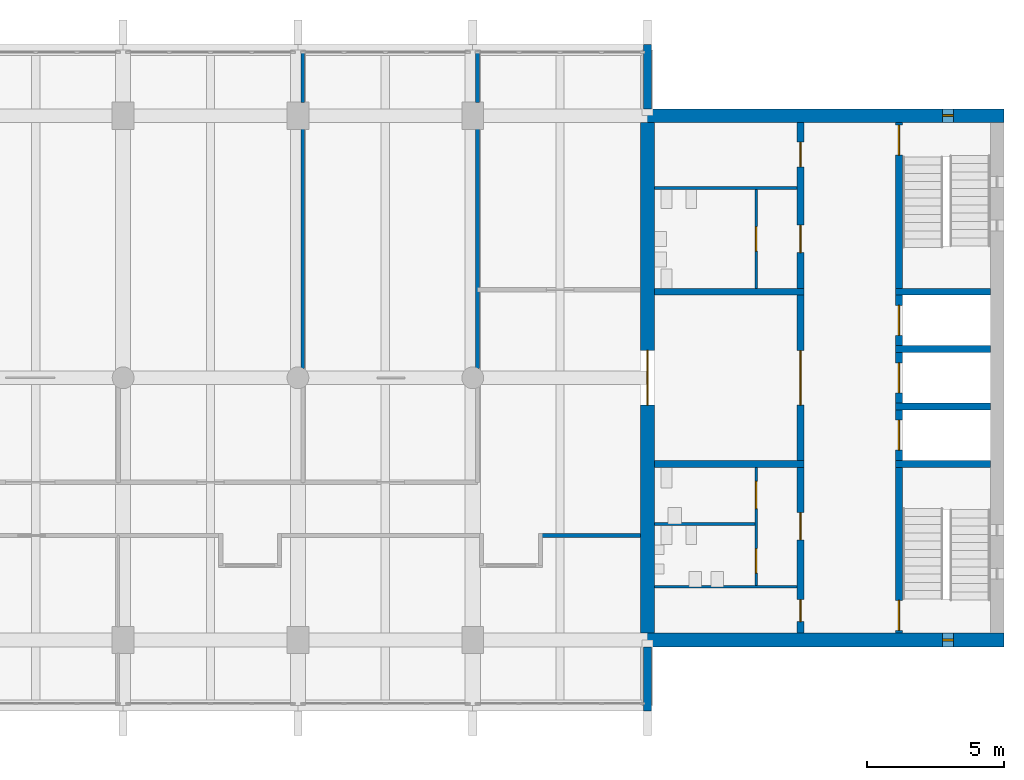
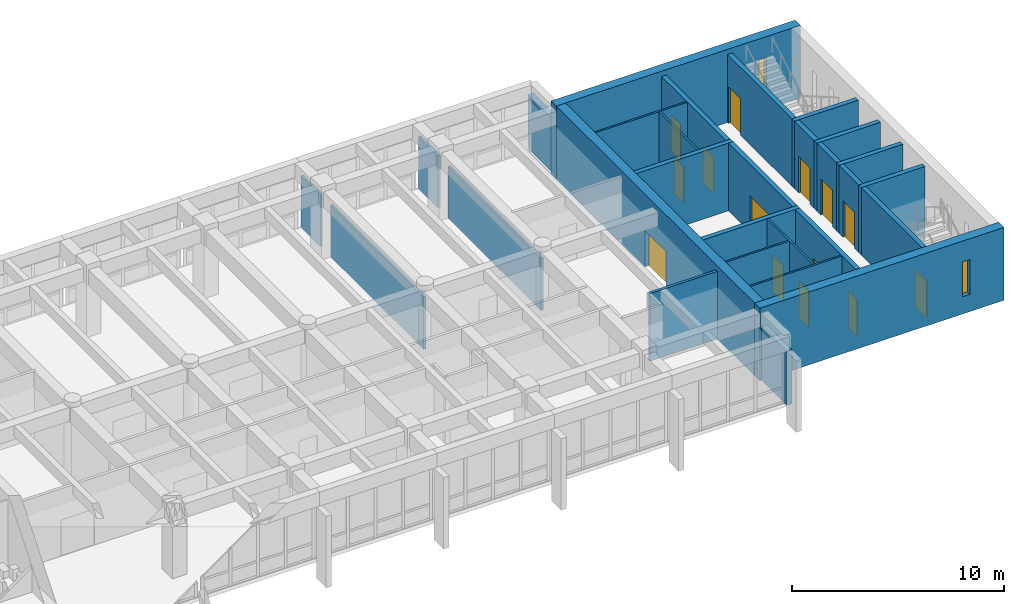
# One storey, part 11 of 15: 29 walls, 14 doors, 2 windows, 16 openings.
"""IFC4 building model written with IfcOpenShell, lengths in metres."""

from ifc_helpers import new_model, si_unit, direction, frame, frame_2d, origin, place, context, subcontext, project, spatial, rectangle, extrude, material, layer, layer_set, type_object, element, fill, save


model = new_model("IFC4")

# Units and contexts
model_context = context("Model", 3, precision=1e-05, world=origin(), true_north=direction((0.0, 1.0)))
body_context = subcontext(model_context, "Body", "Model", "MODEL_VIEW")
ifc_project = project(units=[si_unit("LENGTHUNIT", "METRE"), si_unit("AREAUNIT", "SQUARE_METRE"), si_unit("VOLUMEUNIT", "CUBIC_METRE"), si_unit("PLANEANGLEUNIT", "RADIAN"), si_unit("MASSUNIT", "GRAM", prefix="KILO")], contexts=[model_context])

# Site, building, storey
site_placement = place(None, origin())
site = spatial("IfcSite", under=ifc_project, at=site_placement, CompositionType="ELEMENT")
building_placement = place(site_placement, origin())
building = spatial("IfcBuilding", under=site, at=building_placement, Name="Fogon Plaza Fire Station and Headquarters Tower", CompositionType="ELEMENT")
storey_placement = place(building_placement, frame((0.0, 0.0, 60.0)))
storey = spatial("IfcBuildingStorey", under=building, at=storey_placement, Name="L15", CompositionType="ELEMENT", Elevation=60.0)

# Walls
ifc_material_1 = material(Name="Concrete C40", Category="concrete")
ifc_layer_1 = layer(ifc_material_1, 0.25)
ifc_layer_set_1 = layer_set([ifc_layer_1], Name="Concrete C40")
wall_type_1 = type_object("IfcWallType", Name="Core Wall RC 250", PredefinedType="SOLIDWALL", material=ifc_layer_set_1)
for number, where, z_axis, x_axis, name in (
    (1, (76.550048828125, 40.050048828125, 0.0), (0.0, 0.0, 1.0), (-1.0, 0.0, 0.0), "Core B shaft wall"),
    (2, (76.550048828125, 42.14990234375, 0.0), (0.0, 0.0, 1.0), (-1.0, 0.0, 0.0), "Core B shaft wall"),
    (3, (76.550048828125, 44.25, 0.0), (0.0, 0.0, 1.0), (-1.0, 0.0, 0.0), "Core B shaft wall"),
    (4, (76.550048828125, 46.35009765625, 0.0), (0.0, 0.0, 1.0), (-1.0, 0.0, 0.0), "Core B shaft wall"),
):
    element("IfcWall", number, at=place(storey_placement, frame(where, z_axis=z_axis, x_axis=x_axis)), inside=storey, type_object=wall_type_1, Name=name, PredefinedType="SOLIDWALL", context=body_context, shape_type="SweptSolid", body=[
        extrude(rectangle(XDim=3.47509765625, YDim=0.25, at=frame_2d((1.737548828125, 0.0))), origin(), (0.0, 0.0, 1.0), 3.89990234375),
    ])

# Wall, opening, door
wall_1_placement = place(storey_placement, frame((73.199951171875, 33.85009765625, 0.0), z_axis=(0.0, 0.0, 1.0), x_axis=(0.0, 1.0, 0.0)))
wall_1 = element("IfcWall", 5, at=wall_1_placement, inside=storey, type_object=wall_type_1, Name="Core B shaft wall", PredefinedType="SOLIDWALL", context=body_context, shape_type="SweptSolid", body=[
    extrude(rectangle(XDim=6.074951171875, YDim=0.25, at=frame_2d((3.03759765625, 0.0))), origin(), (0.0, 0.0, 1.0), 3.89990234375),
])
opening_1_placement = place(wall_1_placement, frame((0.10009765625, 0.0, 0.0)))
opening_1 = element("IfcOpeningElement", 6, at=opening_1_placement, cuts=wall_1, Name="Opening L15-D15", PredefinedType="OPENING", context=body_context, shape_type="SweptSolid", body=[
    extrude(rectangle(XDim=1.10009765625, YDim=2.10009765625, at=frame_2d((0.550048828125, 1.050048828125))), frame((0.0, 0.135009765625, 0.0), z_axis=(0.0, -1.0, 0.0), x_axis=(1.0, 0.0, 0.0)), (0.0, 0.0, 1.0), 0.27001953125),
])
ifc_material_2 = material(Name="Steel Fire Door Leaf", Category="steel")
door_type_1 = type_object("IfcDoorType", Name="Stair Door Single 1100x2100", OperationType="SINGLE_SWING_LEFT", PredefinedType="DOOR", material=ifc_material_2)
door_1_placement = place(opening_1_placement, frame((1.10009765625, 0.0, 0.0), z_axis=(0.0, 0.0, 1.0), x_axis=(-1.0, 0.0, 0.0)))
door_1 = element("IfcDoor", 7, at=door_1_placement, inside=storey, type_object=door_type_1, Name="Stair door ST3", OperationType="SINGLE_SWING_RIGHT", OverallHeight=2.10009765625, OverallWidth=1.10009765625, PredefinedType="DOOR", context=body_context, shape_type="SweptSolid", body=[
    extrude(rectangle(XDim=1.10009765625, YDim=2.10009765625, at=frame_2d((0.550048828125, 1.050048828125))), frame((0.0, 0.02490234375, 0.0), z_axis=(0.0, -1.0, 0.0), x_axis=(1.0, 0.0, 0.0)), (0.0, 0.0, 1.0), 0.050048828125),
])
fill(opening_1, door_1)

wall_2_placement = place(storey_placement, frame((73.199951171875, 40.175048828125, 0.0), z_axis=(0.0, 0.0, 1.0), x_axis=(0.0, 1.0, 0.0)))
wall_2 = element("IfcWall", 8, at=wall_2_placement, inside=storey, type_object=wall_type_1, Name="Core B shaft wall", PredefinedType="SOLIDWALL", context=body_context, shape_type="SweptSolid", body=[
    extrude(rectangle(XDim=1.849853515625, YDim=0.25, at=frame_2d((0.9248046875, 0.0))), origin(), (0.0, 0.0, 1.0), 3.89990234375),
])
opening_2_placement = place(wall_2_placement, frame((0.375, 0.0, 0.0)))
opening_2 = element("IfcOpeningElement", 9, at=opening_2_placement, cuts=wall_2, Name="Opening L15-D17", PredefinedType="OPENING", context=body_context, shape_type="SweptSolid", body=[
    extrude(rectangle(XDim=1.10009765625, YDim=2.10009765625, at=frame_2d((0.550048828125, 1.050048828125))), frame((0.0, 0.135009765625, 0.0), z_axis=(0.0, -1.0, 0.0), x_axis=(1.0, 0.0, 0.0)), (0.0, 0.0, 1.0), 0.27001953125),
])
ifc_material_3 = material(Name="Stainless Steel", Category="steel")
door_type_2 = type_object("IfcDoorType", Name="Lift Landing Door 1100x2100", OperationType="SLIDING_TO_LEFT", PredefinedType="DOOR", material=ifc_material_3)
door_2_placement = place(opening_2_placement, origin())
door_2 = element("IfcDoor", 10, at=door_2_placement, inside=storey, type_object=door_type_2, Name="Lift LP3 landing door", OperationType="SLIDING_TO_LEFT", OverallHeight=2.10009765625, OverallWidth=1.10009765625, PredefinedType="DOOR", context=body_context, shape_type="SweptSolid", body=[
    extrude(rectangle(XDim=1.10009765625, YDim=2.10009765625, at=frame_2d((0.550048828125, 1.050048828125))), frame((0.0, 0.02490234375, 0.0), z_axis=(0.0, -1.0, 0.0), x_axis=(1.0, 0.0, 0.0)), (0.0, 0.0, 1.0), 0.050048828125),
])
fill(opening_2, door_2)

wall_3_placement = place(storey_placement, frame((73.199951171875, 42.27490234375, 0.0), z_axis=(0.0, 0.0, 1.0), x_axis=(0.0, 1.0, 0.0)))
wall_3 = element("IfcWall", 11, at=wall_3_placement, inside=storey, type_object=wall_type_1, Name="Core B shaft wall", PredefinedType="SOLIDWALL", context=body_context, shape_type="SweptSolid", body=[
    extrude(rectangle(XDim=1.85009765625, YDim=0.25, at=frame_2d((0.925048828125, 0.0))), origin(), (0.0, 0.0, 1.0), 3.89990234375),
])
opening_3_placement = place(wall_3_placement, frame((0.375, 0.0, 0.0)))
opening_3 = element("IfcOpeningElement", 12, at=opening_3_placement, cuts=wall_3, Name="Opening L15-D18", PredefinedType="OPENING", context=body_context, shape_type="SweptSolid", body=[
    extrude(rectangle(XDim=1.10009765625, YDim=2.10009765625, at=frame_2d((0.550048828125, 1.050048828125))), frame((0.0, 0.135009765625, 0.0), z_axis=(0.0, -1.0, 0.0), x_axis=(1.0, 0.0, 0.0)), (0.0, 0.0, 1.0), 0.27001953125),
])
door_3_placement = place(opening_3_placement, origin())
door_3 = element("IfcDoor", 13, at=door_3_placement, inside=storey, type_object=door_type_2, Name="Lift LP4 landing door", OperationType="SLIDING_TO_LEFT", OverallHeight=2.10009765625, OverallWidth=1.10009765625, PredefinedType="DOOR", context=body_context, shape_type="SweptSolid", body=[
    extrude(rectangle(XDim=1.10009765625, YDim=2.10009765625, at=frame_2d((0.550048828125, 1.050048828125))), frame((0.0, 0.02490234375, 0.0), z_axis=(0.0, -1.0, 0.0), x_axis=(1.0, 0.0, 0.0)), (0.0, 0.0, 1.0), 0.050048828125),
])
fill(opening_3, door_3)

wall_4_placement = place(storey_placement, frame((73.199951171875, 44.375, 0.0), z_axis=(0.0, 0.0, 1.0), x_axis=(0.0, 1.0, 0.0)))
wall_4 = element("IfcWall", 14, at=wall_4_placement, inside=storey, type_object=wall_type_1, Name="Core B shaft wall", PredefinedType="SOLIDWALL", context=body_context, shape_type="SweptSolid", body=[
    extrude(rectangle(XDim=1.85009765625, YDim=0.25, at=frame_2d((0.925048828125, 0.0))), origin(), (0.0, 0.0, 1.0), 3.89990234375),
])
opening_4_placement = place(wall_4_placement, frame((0.375, 0.0, 0.0)))
opening_4 = element("IfcOpeningElement", 15, at=opening_4_placement, cuts=wall_4, Name="Opening L15-D19", PredefinedType="OPENING", context=body_context, shape_type="SweptSolid", body=[
    extrude(rectangle(XDim=1.10009765625, YDim=2.10009765625, at=frame_2d((0.550048828125, 1.050048828125))), frame((0.0, 0.135009765625, 0.0), z_axis=(0.0, -1.0, 0.0), x_axis=(1.0, 0.0, 0.0)), (0.0, 0.0, 1.0), 0.27001953125),
])
door_4_placement = place(opening_4_placement, origin())
door_4 = element("IfcDoor", 16, at=door_4_placement, inside=storey, type_object=door_type_2, Name="Lift FL2 landing door", OperationType="SLIDING_TO_LEFT", OverallHeight=2.10009765625, OverallWidth=1.10009765625, PredefinedType="DOOR", context=body_context, shape_type="SweptSolid", body=[
    extrude(rectangle(XDim=1.10009765625, YDim=2.10009765625, at=frame_2d((0.550048828125, 1.050048828125))), frame((0.0, 0.02490234375, 0.0), z_axis=(0.0, -1.0, 0.0), x_axis=(1.0, 0.0, 0.0)), (0.0, 0.0, 1.0), 0.050048828125),
])
fill(opening_4, door_4)

wall_5_placement = place(storey_placement, frame((73.199951171875, 46.47509765625, 0.0), z_axis=(0.0, 0.0, 1.0), x_axis=(0.0, 1.0, 0.0)))
wall_5 = element("IfcWall", 17, at=wall_5_placement, inside=storey, type_object=wall_type_1, Name="Core B shaft wall", PredefinedType="SOLIDWALL", context=body_context, shape_type="SweptSolid", body=[
    extrude(rectangle(XDim=6.074951171875, YDim=0.25, at=frame_2d((3.03759765625, 0.0))), origin(), (0.0, 0.0, 1.0), 3.89990234375),
])
opening_5_placement = place(wall_5_placement, frame((4.875, 0.0, 0.0)))
opening_5 = element("IfcOpeningElement", 18, at=opening_5_placement, cuts=wall_5, Name="Opening L15-D16", PredefinedType="OPENING", context=body_context, shape_type="SweptSolid", body=[
    extrude(rectangle(XDim=1.10009765625, YDim=2.10009765625, at=frame_2d((0.550048828125, 1.050048828125))), frame((0.0, 0.135009765625, 0.0), z_axis=(0.0, -1.0, 0.0), x_axis=(1.0, 0.0, 0.0)), (0.0, 0.0, 1.0), 0.27001953125),
])
door_5_placement = place(opening_5_placement, frame((1.10009765625, 0.0, 0.0), z_axis=(0.0, 0.0, 1.0), x_axis=(-1.0, 0.0, 0.0)))
door_5 = element("IfcDoor", 19, at=door_5_placement, inside=storey, type_object=door_type_1, Name="Stair door ST4", OperationType="SINGLE_SWING_LEFT", OverallHeight=2.10009765625, OverallWidth=1.10009765625, PredefinedType="DOOR", context=body_context, shape_type="SweptSolid", body=[
    extrude(rectangle(XDim=1.10009765625, YDim=2.10009765625, at=frame_2d((0.550048828125, 1.050048828125))), frame((0.0, 0.02490234375, 0.0), z_axis=(0.0, -1.0, 0.0), x_axis=(1.0, 0.0, 0.0)), (0.0, 0.0, 1.0), 0.050048828125),
])
fill(opening_5, door_5)

# Wall, openings, doors
wall_6_placement = place(storey_placement, frame((69.60009765625, 33.85009765625, 0.0), z_axis=(0.0, 0.0, 1.0), x_axis=(0.0, 1.0, 0.0)))
wall_6 = element("IfcWall", 20, at=wall_6_placement, inside=storey, type_object=wall_type_1, Name="Core B shaft wall", PredefinedType="SOLIDWALL", context=body_context, shape_type="SweptSolid", body=[
    extrude(rectangle(XDim=6.074951171875, YDim=0.25, at=frame_2d((3.03759765625, 0.0))), origin(), (0.0, 0.0, 1.0), 3.89990234375),
])
opening_6_placement = place(wall_6_placement, frame((0.425048828125, 0.0, 0.0)))
opening_6 = element("IfcOpeningElement", 21, at=opening_6_placement, cuts=wall_6, Name="Opening L15-D22", PredefinedType="OPENING", context=body_context, shape_type="SweptSolid", body=[
    extrude(rectangle(XDim=0.800048828125, YDim=2.10009765625, at=frame_2d((0.39990234375, 1.050048828125))), frame((0.0, 0.135009765625, 0.0), z_axis=(0.0, -1.0, 0.0), x_axis=(1.0, 0.0, 0.0)), (0.0, 0.0, 1.0), 0.27001953125),
])
opening_7_placement = place(wall_6_placement, frame((3.41259765625, 0.0, 0.0)))
opening_7 = element("IfcOpeningElement", 22, at=opening_7_placement, cuts=wall_6, Name="Opening L15-D23", PredefinedType="OPENING", context=body_context, shape_type="SweptSolid", body=[
    extrude(rectangle(XDim=1.0, YDim=2.10009765625, at=frame_2d((0.5, 1.050048828125))), frame((0.0, 0.135009765625, 0.0), z_axis=(0.0, -1.0, 0.0), x_axis=(1.0, 0.0, 0.0)), (0.0, 0.0, 1.0), 0.27001953125),
])
ifc_material_4 = material(Name="Timber Door Leaf", Category="wood")
door_type_3 = type_object("IfcDoorType", Name="Cleaner Store Single 800x2100", OperationType="SINGLE_SWING_LEFT", PredefinedType="DOOR", material=ifc_material_4)
door_6_placement = place(opening_6_placement, origin())
door_6 = element("IfcDoor", 23, at=door_6_placement, inside=storey, type_object=door_type_3, Name="Cleaner's store B door", OperationType="SINGLE_SWING_RIGHT", OverallHeight=2.10009765625, OverallWidth=0.800048828125, PredefinedType="DOOR", context=body_context, shape_type="SweptSolid", body=[
    extrude(rectangle(XDim=0.800048828125, YDim=2.10009765625, at=frame_2d((0.39990234375, 1.050048828125))), frame((0.0, 0.02490234375, 0.0), z_axis=(0.0, -1.0, 0.0), x_axis=(1.0, 0.0, 0.0)), (0.0, 0.0, 1.0), 0.050048828125),
])
fill(opening_6, door_6)
ifc_material_5 = material(Name="Timber fire door", Category="wood")
door_type_4 = type_object("IfcDoorType", Name="WC Lobby Single 1000x2100", OperationType="SINGLE_SWING_LEFT", PredefinedType="DOOR", material=ifc_material_5)
door_7_placement = place(opening_7_placement, origin())
door_7 = element("IfcDoor", 24, at=door_7_placement, inside=storey, type_object=door_type_4, Name="Men's WC lobby B door", OperationType="SINGLE_SWING_LEFT", OverallHeight=2.10009765625, OverallWidth=1.0, PredefinedType="DOOR", context=body_context, shape_type="SweptSolid", body=[
    extrude(rectangle(XDim=1.0, YDim=2.10009765625, at=frame_2d((0.5, 1.050048828125))), frame((0.0, 0.02490234375, 0.0), z_axis=(0.0, -1.0, 0.0), x_axis=(1.0, 0.0, 0.0)), (0.0, 0.0, 1.0), 0.050048828125),
])
fill(opening_7, door_7)

# Wall, opening, door
wall_7_placement = place(storey_placement, frame((69.60009765625, 40.175048828125, 0.0), z_axis=(0.0, 0.0, 1.0), x_axis=(0.0, 1.0, 0.0)))
wall_7 = element("IfcWall", 25, at=wall_7_placement, inside=storey, type_object=wall_type_1, Name="Core B shaft wall", PredefinedType="SOLIDWALL", context=body_context, shape_type="SweptSolid", body=[
    extrude(rectangle(XDim=6.050048828125, YDim=0.25, at=frame_2d((3.02490234375, 0.0))), origin(), (0.0, 0.0, 1.0), 3.89990234375),
])
opening_8_placement = place(wall_7_placement, frame((2.02490234375, 0.0, 0.0)))
opening_8 = element("IfcOpeningElement", 26, at=opening_8_placement, cuts=wall_7, Name="Opening L15-D20", PredefinedType="OPENING", context=body_context, shape_type="SweptSolid", body=[
    extrude(rectangle(XDim=2.0, YDim=2.10009765625, at=frame_2d((1.0, 1.050048828125))), frame((0.0, 0.135009765625, 0.0), z_axis=(0.0, -1.0, 0.0), x_axis=(1.0, 0.0, 0.0)), (0.0, 0.0, 1.0), 0.27001953125),
])
ifc_material_6 = material(Name="Steel Fire Door Leaf", Category="steel")
door_type_5 = type_object("IfcDoorType", Name="Vestibule Double 2000x2100", OperationType="DOUBLE_DOOR_SINGLE_SWING", PredefinedType="DOOR", material=ifc_material_6)
door_8_placement = place(opening_8_placement, origin())
door_8 = element("IfcDoor", 27, at=door_8_placement, inside=storey, type_object=door_type_5, Name="Vestibule B door", OperationType="DOUBLE_DOOR_SINGLE_SWING", OverallHeight=2.10009765625, OverallWidth=2.0, PredefinedType="DOOR", context=body_context, shape_type="SweptSolid", body=[
    extrude(rectangle(XDim=2.0, YDim=2.10009765625, at=frame_2d((1.0, 1.050048828125))), frame((0.0, 0.02490234375, 0.0), z_axis=(0.0, -1.0, 0.0), x_axis=(1.0, 0.0, 0.0)), (0.0, 0.0, 1.0), 0.050048828125),
])
fill(opening_8, door_8)

# Wall, openings, doors
wall_8_placement = place(storey_placement, frame((69.60009765625, 46.47509765625, 0.0), z_axis=(0.0, 0.0, 1.0), x_axis=(0.0, 1.0, 0.0)))
wall_8 = element("IfcWall", 28, at=wall_8_placement, inside=storey, type_object=wall_type_1, Name="Core B shaft wall", PredefinedType="SOLIDWALL", context=body_context, shape_type="SweptSolid", body=[
    extrude(rectangle(XDim=6.074951171875, YDim=0.25, at=frame_2d((3.03759765625, 0.0))), origin(), (0.0, 0.0, 1.0), 3.89990234375),
])
opening_9_placement = place(wall_8_placement, frame((1.3125, 0.0, 0.0)))
opening_9 = element("IfcOpeningElement", 29, at=opening_9_placement, cuts=wall_8, Name="Opening L15-D26", PredefinedType="OPENING", context=body_context, shape_type="SweptSolid", body=[
    extrude(rectangle(XDim=1.0, YDim=2.10009765625, at=frame_2d((0.5, 1.050048828125))), frame((0.0, 0.135009765625, 0.0), z_axis=(0.0, -1.0, 0.0), x_axis=(1.0, 0.0, 0.0)), (0.0, 0.0, 1.0), 0.27001953125),
])
opening_10_placement = place(wall_8_placement, frame((4.449951171875, 0.0, 0.0)))
opening_10 = element("IfcOpeningElement", 30, at=opening_10_placement, cuts=wall_8, Name="Opening L15-D28", PredefinedType="OPENING", context=body_context, shape_type="SweptSolid", body=[
    extrude(rectangle(XDim=0.89990234375, YDim=2.10009765625, at=frame_2d((0.449951171875, 1.050048828125))), frame((0.0, 0.135009765625, 0.0), z_axis=(0.0, -1.0, 0.0), x_axis=(1.0, 0.0, 0.0)), (0.0, 0.0, 1.0), 0.27001953125),
])
ifc_material_7 = material(Name="Steel Fire Door Leaf", Category="steel")
door_type_6 = type_object("IfcDoorType", Name="Riser Single 900x2100", OperationType="SINGLE_SWING_LEFT", PredefinedType="DOOR", material=ifc_material_7)
door_9_placement = place(opening_10_placement, origin())
door_9 = element("IfcDoor", 31, at=door_9_placement, inside=storey, type_object=door_type_6, Name="Riser room B door", OperationType="SINGLE_SWING_RIGHT", OverallHeight=2.10009765625, OverallWidth=0.89990234375, PredefinedType="DOOR", context=body_context, shape_type="SweptSolid", body=[
    extrude(rectangle(XDim=0.89990234375, YDim=2.10009765625, at=frame_2d((0.449951171875, 1.050048828125))), frame((0.0, 0.02490234375, 0.0), z_axis=(0.0, -1.0, 0.0), x_axis=(1.0, 0.0, 0.0)), (0.0, 0.0, 1.0), 0.050048828125),
])
fill(opening_10, door_9)
door_10_placement = place(opening_9_placement, origin())
door_10 = element("IfcDoor", 32, at=door_10_placement, inside=storey, type_object=door_type_4, Name="Women's WC lobby B door", OperationType="SINGLE_SWING_RIGHT", OverallHeight=2.10009765625, OverallWidth=1.0, PredefinedType="DOOR", context=body_context, shape_type="SweptSolid", body=[
    extrude(rectangle(XDim=1.0, YDim=2.10009765625, at=frame_2d((0.5, 1.050048828125))), frame((0.0, 0.02490234375, 0.0), z_axis=(0.0, -1.0, 0.0), x_axis=(1.0, 0.0, 0.0)), (0.0, 0.0, 1.0), 0.050048828125),
])
fill(opening_9, door_10)

# Walls
for number, where, z_axis, x_axis, name in (
    (33, (69.72509765625, 40.050048828125, 0.0), (0.0, 0.0, 1.0), (-1.0, 0.0, 0.0), "Core B shaft wall"),
    (34, (69.72509765625, 46.35009765625, 0.0), (0.0, 0.0, 1.0), (-1.0, 0.0, 0.0), "Core B shaft wall"),
):
    element("IfcWall", number, at=place(storey_placement, frame(where, z_axis=z_axis, x_axis=x_axis)), inside=storey, type_object=wall_type_1, Name=name, PredefinedType="SOLIDWALL", context=body_context, shape_type="SweptSolid", body=[
        extrude(rectangle(XDim=5.47509765625, YDim=0.25, at=frame_2d((2.737548828125, 0.0))), origin(), (0.0, 0.0, 1.0), 3.89990234375),
    ])
ifc_material_8 = material(Name="Concrete C40", Category="concrete")
ifc_layer_2 = layer(ifc_material_8, 0.300048828125)
ifc_layer_set_2 = layer_set([ifc_layer_2], Name="Concrete C40")
wall_type_2 = type_object("IfcWallType", Name="Fair-faced RC Return Panel 300", PredefinedType="SOLIDWALL", material=ifc_layer_set_2)
wall_9_placement = place(storey_placement, frame((64.0, 31.0, 0.0), z_axis=(0.0, 0.0, 1.0), x_axis=(0.0, 1.0, 0.0)))
element("IfcWall", 35, at=wall_9_placement, inside=storey, type_object=wall_type_2, Name="Bar end return ES L15", PredefinedType="SOLIDWALL", context=body_context, shape_type="SweptSolid", body=[
    extrude(rectangle(XDim=2.35009765625, YDim=0.300048828125, at=frame_2d((1.175048828125, 0.0))), origin(), (0.0, 0.0, 1.0), 3.10009765625),
])
wall_10_placement = place(storey_placement, frame((64.0, 53.050048828125, 0.0), z_axis=(0.0, 0.0, 1.0), x_axis=(0.0, 1.0, 0.0)))
element("IfcWall", 36, at=wall_10_placement, inside=storey, type_object=wall_type_2, Name="Bar end return EN L15", PredefinedType="SOLIDWALL", context=body_context, shape_type="SweptSolid", body=[
    extrude(rectangle(XDim=2.349853515625, YDim=0.300048828125, at=frame_2d((1.1748046875, 0.0))), origin(), (0.0, 0.0, 1.0), 3.10009765625),
])
ifc_material_9 = material(Name="Blockwork", Category="masonry")
ifc_layer_3 = layer(ifc_material_9, 0.10009765625)
ifc_layer_set_3 = layer_set([ifc_layer_3], Name="Blockwork")
wall_type_3 = type_object("IfcWallType", Name="Partition Blockwork 100", PredefinedType="PARTITIONING", material=ifc_layer_set_3)
wall_11_placement = place(storey_placement, frame((69.47509765625, 35.550048828125, 0.0), z_axis=(0.0, 0.0, 1.0), x_axis=(-1.0, 0.0, 0.0)))
element("IfcWall", 37, at=wall_11_placement, inside=storey, type_object=wall_type_3, Name="Cleaner's store partition", PredefinedType="PARTITIONING", context=body_context, shape_type="SweptSolid", body=[
    extrude(rectangle(XDim=5.22509765625, YDim=0.10009765625, at=frame_2d((2.612548828125, 0.0))), origin(), (0.0, 0.0, 1.0), 3.89990234375),
])

# Wall, openings, doors
wall_12_placement = place(storey_placement, frame((67.97509765625, 35.60009765625, 0.0), z_axis=(0.0, 0.0, 1.0), x_axis=(0.0, 1.0, 0.0)))
wall_12 = element("IfcWall", 38, at=wall_12_placement, inside=storey, type_object=wall_type_3, Name="WC block partition", PredefinedType="PARTITIONING", context=body_context, shape_type="SweptSolid", body=[
    extrude(rectangle(XDim=4.324951171875, YDim=0.10009765625, at=frame_2d((2.16259765625, 0.0))), origin(), (0.0, 0.0, 1.0), 3.89990234375),
])
opening_11_placement = place(wall_12_placement, frame((0.449951171875, 0.0, 0.0)))
opening_11 = element("IfcOpeningElement", 39, at=opening_11_placement, cuts=wall_12, Name="Opening L15-D24", PredefinedType="OPENING", context=body_context, shape_type="SweptSolid", body=[
    extrude(rectangle(XDim=0.89990234375, YDim=2.10009765625, at=frame_2d((0.449951171875, 1.050048828125))), frame((0.0, 0.06005859375, 0.0), z_axis=(0.0, -1.0, 0.0), x_axis=(1.0, 0.0, 0.0)), (0.0, 0.0, 1.0), 0.1201171875),
])
opening_12_placement = place(wall_12_placement, frame((2.8125, 0.0, 0.0)))
opening_12 = element("IfcOpeningElement", 40, at=opening_12_placement, cuts=wall_12, Name="Opening L15-D25", PredefinedType="OPENING", context=body_context, shape_type="SweptSolid", body=[
    extrude(rectangle(XDim=1.0, YDim=2.10009765625, at=frame_2d((0.5, 1.050048828125))), frame((0.0, 0.06005859375, 0.0), z_axis=(0.0, -1.0, 0.0), x_axis=(1.0, 0.0, 0.0)), (0.0, 0.0, 1.0), 0.1201171875),
])
ifc_material_10 = material(Name="Timber Door Leaf", Category="wood")
door_type_7 = type_object("IfcDoorType", Name="Accessible WC Single 1000x2100", OperationType="SINGLE_SWING_LEFT", PredefinedType="DOOR", material=ifc_material_10)
door_11_placement = place(opening_12_placement, origin())
door_11 = element("IfcDoor", 41, at=door_11_placement, inside=storey, type_object=door_type_7, Name="Accessible WC B door", OperationType="SINGLE_SWING_LEFT", OverallHeight=2.10009765625, OverallWidth=1.0, PredefinedType="DOOR", context=body_context, shape_type="SweptSolid", body=[
    extrude(rectangle(XDim=1.0, YDim=2.10009765625, at=frame_2d((0.5, 1.050048828125))), frame((0.0, 0.02490234375, 0.0), z_axis=(0.0, -1.0, 0.0), x_axis=(1.0, 0.0, 0.0)), (0.0, 0.0, 1.0), 0.050048828125),
])
fill(opening_12, door_11)
ifc_material_11 = material(Name="Timber Door Leaf", Category="wood")
door_type_8 = type_object("IfcDoorType", Name="WC Single 900x2100", OperationType="SINGLE_SWING_LEFT", PredefinedType="DOOR", material=ifc_material_11)
door_12_placement = place(opening_11_placement, origin())
door_12 = element("IfcDoor", 42, at=door_12_placement, inside=storey, type_object=door_type_8, Name="Men's WC B door", OperationType="SINGLE_SWING_LEFT", OverallHeight=2.10009765625, OverallWidth=0.89990234375, PredefinedType="DOOR", context=body_context, shape_type="SweptSolid", body=[
    extrude(rectangle(XDim=0.89990234375, YDim=2.10009765625, at=frame_2d((0.449951171875, 1.050048828125))), frame((0.0, 0.02490234375, 0.0), z_axis=(0.0, -1.0, 0.0), x_axis=(1.0, 0.0, 0.0)), (0.0, 0.0, 1.0), 0.050048828125),
])
fill(opening_11, door_12)

# Wall
wall_13_placement = place(storey_placement, frame((67.925048828125, 37.85009765625, 0.0), z_axis=(0.0, 0.0, 1.0), x_axis=(-1.0, 0.0, 0.0)))
element("IfcWall", 43, at=wall_13_placement, inside=storey, type_object=wall_type_3, Name="WC block partition", PredefinedType="PARTITIONING", context=body_context, shape_type="SweptSolid", body=[
    extrude(rectangle(XDim=3.675048828125, YDim=0.10009765625, at=frame_2d((1.83740234375, 0.0))), origin(), (0.0, 0.0, 1.0), 3.89990234375),
])

# Wall, opening, door
wall_14_placement = place(storey_placement, frame((67.97509765625, 46.47509765625, 0.0), z_axis=(0.0, 0.0, 1.0), x_axis=(0.0, 1.0, 0.0)))
wall_14 = element("IfcWall", 44, at=wall_14_placement, inside=storey, type_object=wall_type_3, Name="WC block partition", PredefinedType="PARTITIONING", context=body_context, shape_type="SweptSolid", body=[
    extrude(rectangle(XDim=3.625, YDim=0.10009765625, at=frame_2d((1.8125, 0.0))), origin(), (0.0, 0.0, 1.0), 3.89990234375),
])
opening_13_placement = place(wall_14_placement, frame((1.362548828125, 0.0, 0.0)))
opening_13 = element("IfcOpeningElement", 45, at=opening_13_placement, cuts=wall_14, Name="Opening L15-D27", PredefinedType="OPENING", context=body_context, shape_type="SweptSolid", body=[
    extrude(rectangle(XDim=0.89990234375, YDim=2.10009765625, at=frame_2d((0.449951171875, 1.050048828125))), frame((0.0, 0.06005859375, 0.0), z_axis=(0.0, -1.0, 0.0), x_axis=(1.0, 0.0, 0.0)), (0.0, 0.0, 1.0), 0.1201171875),
])
door_13_placement = place(opening_13_placement, origin())
door_13 = element("IfcDoor", 46, at=door_13_placement, inside=storey, type_object=door_type_8, Name="Women's WC B door", OperationType="SINGLE_SWING_LEFT", OverallHeight=2.10009765625, OverallWidth=0.89990234375, PredefinedType="DOOR", context=body_context, shape_type="SweptSolid", body=[
    extrude(rectangle(XDim=0.89990234375, YDim=2.10009765625, at=frame_2d((0.449951171875, 1.050048828125))), frame((0.0, 0.02490234375, 0.0), z_axis=(0.0, -1.0, 0.0), x_axis=(1.0, 0.0, 0.0)), (0.0, 0.0, 1.0), 0.050048828125),
])
fill(opening_13, door_13)

# Wall
ifc_material_12 = material(Name="Blockwork", Category="masonry")
ifc_layer_4 = layer(ifc_material_12, 0.10009765625)
ifc_layer_set_4 = layer_set([ifc_layer_4], Name="Blockwork")
wall_type_4 = type_object("IfcWallType", Name="Riser Partition Blockwork 100", PredefinedType="PARTITIONING", material=ifc_layer_set_4)
wall_15_placement = place(storey_placement, frame((69.47509765625, 50.14990234375, 0.0), z_axis=(0.0, 0.0, 1.0), x_axis=(-1.0, 0.0, 0.0)))
element("IfcWall", 47, at=wall_15_placement, inside=storey, type_object=wall_type_4, Name="Riser room partition", PredefinedType="PARTITIONING", context=body_context, shape_type="SweptSolid", body=[
    extrude(rectangle(XDim=5.22509765625, YDim=0.10009765625, at=frame_2d((2.612548828125, 0.0))), origin(), (0.0, 0.0, 1.0), 3.89990234375),
])

# Wall, opening, window
ifc_material_13 = material(Name="Concrete C40", Category="concrete")
ifc_layer_5 = layer(ifc_material_13, 0.5)
ifc_layer_set_5 = layer_set([ifc_layer_5], Name="Concrete C40")
wall_type_5 = type_object("IfcWallType", Name="Shear wall 500 SW50", PredefinedType="SHEAR", material=ifc_layer_set_5)
wall_16_placement = place(storey_placement, frame((63.75, 52.800048828125, 0.0), z_axis=(0.0, 0.0, 1.0), x_axis=(1.0, 0.0, 0.0)))
wall_16 = element("IfcWall", 48, at=wall_16_placement, inside=storey, type_object=wall_type_5, Name="wall-coreB-N-L15", PredefinedType="SHEAR", context=body_context, shape_type="SweptSolid", body=[
    extrude(rectangle(XDim=13.300048828125, YDim=0.5, at=frame_2d((6.64990234375, 0.0))), origin(), (0.0, 0.0, 1.0), 4.199951171875),
])
opening_14_placement = place(wall_16_placement, frame((11.050048828125, 0.0, 1.0)))
opening_14 = element("IfcOpeningElement", 49, at=opening_14_placement, cuts=wall_16, Name="Opening WS1", PredefinedType="OPENING", context=body_context, shape_type="SweptSolid", body=[
    extrude(rectangle(XDim=0.39990234375, YDim=2.0, at=frame_2d((0.199951171875, 1.0))), frame((0.0, 0.260009765625, 0.0), z_axis=(0.0, -1.0, 0.0), x_axis=(1.0, 0.0, 0.0)), (0.0, 0.0, 1.0), 0.52001953125),
])
ifc_material_14 = material(Name="Aluminium framed double glazing", Category="aluminium")
window_type = type_object("IfcWindowType", Name="Slit Window WS1 400x2000", PartitioningType="SINGLE_PANEL", PredefinedType="WINDOW", material=ifc_material_14)
window_1_placement = place(opening_14_placement, origin())
window_1 = element("IfcWindow", 50, at=window_1_placement, inside=storey, type_object=window_type, Name="Slit window B6 L15", OverallHeight=2.0, OverallWidth=0.39990234375, PartitioningType="SINGLE_PANEL", PredefinedType="WINDOW", context=body_context, shape_type="SweptSolid", body=[
    extrude(rectangle(XDim=0.39990234375, YDim=2.0, at=frame_2d((0.199951171875, 1.0))), frame((0.0, 0.030029296875, 0.0), z_axis=(0.0, -1.0, 0.0), x_axis=(1.0, 0.0, 0.0)), (0.0, 0.0, 1.0), 0.06005859375),
])
fill(opening_14, window_1)

wall_17_placement = place(storey_placement, frame((63.75, 33.60009765625, 0.0), z_axis=(0.0, 0.0, 1.0), x_axis=(1.0, 0.0, 0.0)))
wall_17 = element("IfcWall", 51, at=wall_17_placement, inside=storey, type_object=wall_type_5, Name="wall-coreB-S-L15", PredefinedType="SHEAR", context=body_context, shape_type="SweptSolid", body=[
    extrude(rectangle(XDim=13.300048828125, YDim=0.5, at=frame_2d((6.64990234375, 0.0))), origin(), (0.0, 0.0, 1.0), 4.199951171875),
])
opening_15_placement = place(wall_17_placement, frame((11.050048828125, 0.0, 1.0)))
opening_15 = element("IfcOpeningElement", 52, at=opening_15_placement, cuts=wall_17, Name="Opening WS1", PredefinedType="OPENING", context=body_context, shape_type="SweptSolid", body=[
    extrude(rectangle(XDim=0.39990234375, YDim=2.0, at=frame_2d((0.199951171875, 1.0))), frame((0.0, 0.260009765625, 0.0), z_axis=(0.0, -1.0, 0.0), x_axis=(1.0, 0.0, 0.0)), (0.0, 0.0, 1.0), 0.52001953125),
])
window_2_placement = place(opening_15_placement, origin())
window_2 = element("IfcWindow", 53, at=window_2_placement, inside=storey, type_object=window_type, Name="Slit window B5 L15", OverallHeight=2.0, OverallWidth=0.39990234375, PartitioningType="SINGLE_PANEL", PredefinedType="WINDOW", context=body_context, shape_type="SweptSolid", body=[
    extrude(rectangle(XDim=0.39990234375, YDim=2.0, at=frame_2d((0.199951171875, 1.0))), frame((0.0, 0.030029296875, 0.0), z_axis=(0.0, -1.0, 0.0), x_axis=(1.0, 0.0, 0.0)), (0.0, 0.0, 1.0), 0.06005859375),
])
fill(opening_15, window_2)

# Wall, opening, door
wall_18_placement = place(storey_placement, frame((64.0, 33.85009765625, 0.0), z_axis=(0.0, 0.0, 1.0), x_axis=(0.0, 1.0, 0.0)))
wall_18 = element("IfcWall", 54, at=wall_18_placement, inside=storey, type_object=wall_type_5, Name="wall-coreB-W-L15", PredefinedType="SHEAR", context=body_context, shape_type="SweptSolid", body=[
    extrude(rectangle(XDim=18.699951171875, YDim=0.5, at=frame_2d((9.35009765625, 0.0))), origin(), (0.0, 0.0, 1.0), 4.199951171875),
])
opening_16_placement = place(wall_18_placement, frame((8.35009765625, 0.0, 0.0)))
opening_16 = element("IfcOpeningElement", 55, at=opening_16_placement, cuts=wall_18, Name="Opening L15-D21", PredefinedType="OPENING", context=body_context, shape_type="SweptSolid", body=[
    extrude(rectangle(XDim=2.0, YDim=2.10009765625, at=frame_2d((1.0, 1.050048828125))), frame((0.0, 0.260009765625, 0.0), z_axis=(0.0, -1.0, 0.0), x_axis=(1.0, 0.0, 0.0)), (0.0, 0.0, 1.0), 0.52001953125),
])
door_14_placement = place(opening_16_placement, frame((2.0, 0.0, 0.0), z_axis=(0.0, 0.0, 1.0), x_axis=(-1.0, 0.0, 0.0)))
door_14 = element("IfcDoor", 56, at=door_14_placement, inside=storey, type_object=door_type_5, Name="Vestibule B door to the office zone", OperationType="DOUBLE_DOOR_SINGLE_SWING", OverallHeight=2.10009765625, OverallWidth=2.0, PredefinedType="DOOR", context=body_context, shape_type="SweptSolid", body=[
    extrude(rectangle(XDim=2.0, YDim=2.10009765625, at=frame_2d((1.0, 1.050048828125))), frame((0.0, 0.02490234375, 0.0), z_axis=(0.0, -1.0, 0.0), x_axis=(1.0, 0.0, 0.0)), (0.0, 0.0, 1.0), 0.050048828125),
])
fill(opening_16, door_14)

# Walls
ifc_material_15 = material(Name="Gypsum board on steel stud", Category="steel")
ifc_layer_6 = layer(ifc_material_15, 0.14990234375)
ifc_layer_set_6 = layer_set([ifc_layer_6], Name="Gypsum board on steel stud")
wall_type_6 = type_object("IfcWallType", Name="Tower corridor partition 150 EI 60", PredefinedType="PARTITIONING", material=ifc_layer_set_6)
wall_19_placement = place(storey_placement, frame((60.074951171875, 37.425048828125, 0.0), z_axis=(0.0, 0.0, 1.0), x_axis=(1.0, 0.0, 0.0)))
element("IfcWall", 57, at=wall_19_placement, inside=storey, type_object=wall_type_6, Name="part-L15-31", PredefinedType="PARTITIONING", context=body_context, shape_type="SweptSolid", body=[
    extrude(rectangle(XDim=3.675048828125, YDim=0.14990234375, at=frame_2d((1.83740234375, 0.0))), origin(), (0.0, 0.0, 1.0), 3.89990234375),
])
ifc_material_16 = material(Name="Gypsum board on steel stud", Category="steel")
ifc_layer_7 = layer(ifc_material_16, 0.14990234375)
ifc_layer_set_7 = layer_set([ifc_layer_7], Name="Gypsum board on steel stud")
wall_type_7 = type_object("IfcWallType", Name="Tower corridor partition 150 EI 60 Beam Head 900", PredefinedType="PARTITIONING", material=ifc_layer_set_7)
wall_20_placement = place(storey_placement, frame((57.780029296875, 43.537109375, 0.0), z_axis=(0.0, 0.0, 1.0), x_axis=(0.0, 1.0, 0.0)))
element("IfcWall", 58, at=wall_20_placement, inside=storey, type_object=wall_type_7, Name="part-L15-22", PredefinedType="PARTITIONING", context=body_context, shape_type="SweptSolid", body=[
    extrude(rectangle(XDim=8.782958984375, YDim=0.14990234375, at=frame_2d((4.3916015625, 0.0))), origin(), (0.0, 0.0, 1.0), 3.0),
])
wall_21_placement = place(storey_placement, frame((57.780029296875, 53.280029296875, 0.0), z_axis=(0.0, 0.0, 1.0), x_axis=(0.0, 1.0, 0.0)))
element("IfcWall", 59, at=wall_21_placement, inside=storey, type_object=wall_type_7, Name="part-L15-23", PredefinedType="PARTITIONING", context=body_context, shape_type="SweptSolid", body=[
    extrude(rectangle(XDim=1.820068359375, YDim=0.14990234375, at=frame_2d((0.91015625, 0.0))), origin(), (0.0, 0.0, 1.0), 3.0),
])
ifc_material_17 = material(Name="Tiled gypsum board on steel stud", Category="steel")
ifc_layer_8 = layer(ifc_material_17, 0.125)
ifc_layer_set_8 = layer_set([ifc_layer_8], Name="Tiled gypsum board on steel stud")
wall_type_8 = type_object("IfcWallType", Name="Tower kitchen partition 125 EI 60 Beam Head 900", PredefinedType="PARTITIONING", material=ifc_layer_set_8)
wall_22_placement = place(storey_placement, frame((51.3798828125, 43.537109375, 0.0), z_axis=(0.0, 0.0, 1.0), x_axis=(0.0, 1.0, 0.0)))
element("IfcWall", 60, at=wall_22_placement, inside=storey, type_object=wall_type_8, Name="part-L15-13", PredefinedType="PARTITIONING", context=body_context, shape_type="SweptSolid", body=[
    extrude(rectangle(XDim=8.782958984375, YDim=0.125, at=frame_2d((4.3916015625, 0.0))), origin(), (0.0, 0.0, 1.0), 3.0),
])
wall_23_placement = place(storey_placement, frame((51.3798828125, 53.280029296875, 0.0), z_axis=(0.0, 0.0, 1.0), x_axis=(0.0, 1.0, 0.0)))
element("IfcWall", 61, at=wall_23_placement, inside=storey, type_object=wall_type_8, Name="part-L15-14", PredefinedType="PARTITIONING", context=body_context, shape_type="SweptSolid", body=[
    extrude(rectangle(XDim=1.820068359375, YDim=0.125, at=frame_2d((0.91015625, 0.0))), origin(), (0.0, 0.0, 1.0), 3.0),
])

save(model, "model.ifc")
